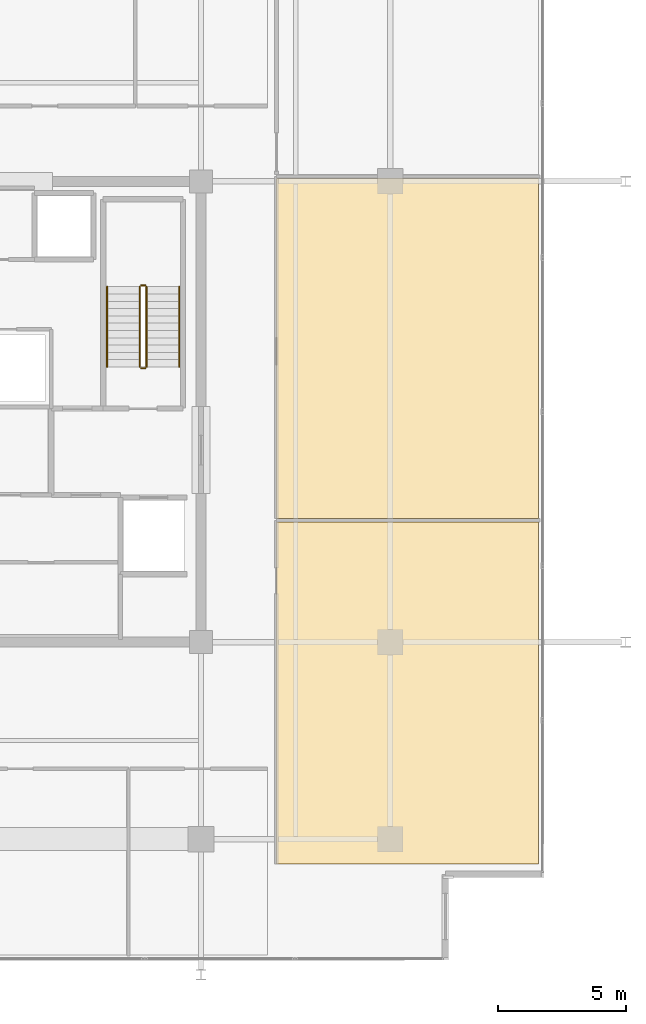
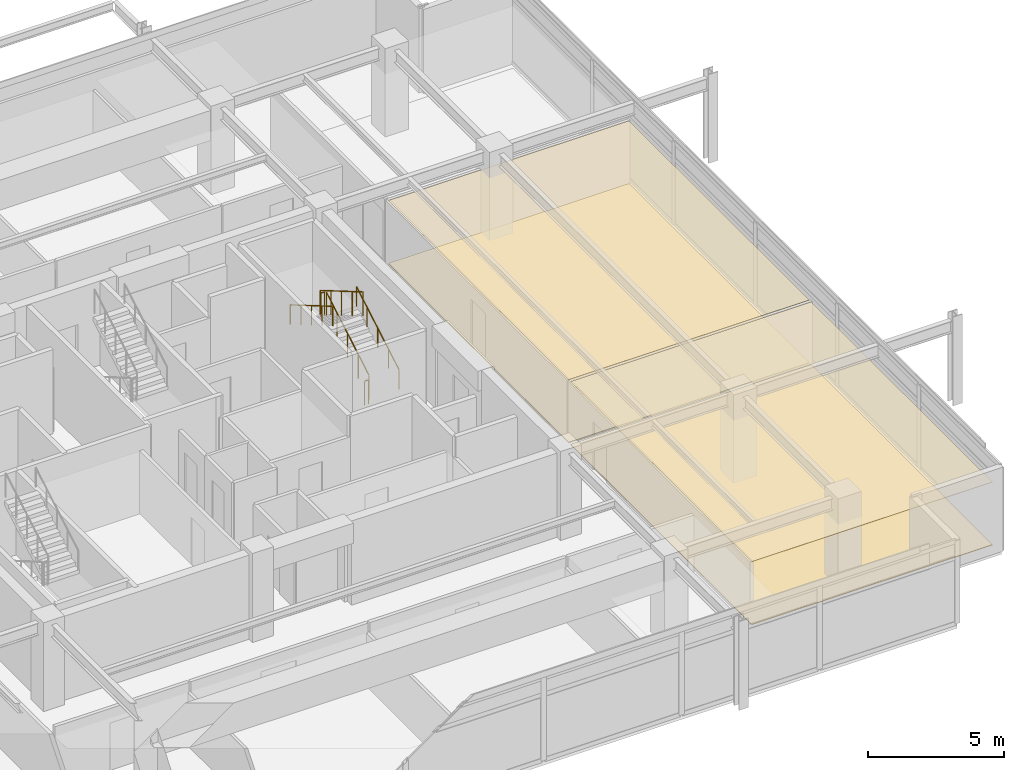
# One storey, part 19 of 20: 6 railings, 4 coverings.
"""IFC4 building model written with IfcOpenShell, lengths in metres."""

from ifc_helpers import new_model, si_unit, direction, frame, origin, origin_2d, place, context, subcontext, project, spatial, polyline, circle, outline, extrude, material, layer, layer_set, type_object, element, save


model = new_model("IFC4")

# Units and contexts
model_context = context("Model", 3, precision=1e-05, world=origin(), true_north=direction((0.0, 1.0)))
body_context = subcontext(model_context, "Body", "Model", "MODEL_VIEW")
ifc_project = project(units=[si_unit("LENGTHUNIT", "METRE"), si_unit("AREAUNIT", "SQUARE_METRE"), si_unit("VOLUMEUNIT", "CUBIC_METRE"), si_unit("PLANEANGLEUNIT", "RADIAN"), si_unit("MASSUNIT", "GRAM", prefix="KILO")], contexts=[model_context])

# Site, building, storey
site_placement = place(None, origin())
site = spatial("IfcSite", under=ifc_project, at=site_placement, CompositionType="ELEMENT")
building_placement = place(site_placement, origin())
building = spatial("IfcBuilding", under=site, at=building_placement, Name="Kovane Verandah Tower", CompositionType="ELEMENT")
storey_placement = place(building_placement, frame((0.0, 0.0, 334.800048828125)))
storey = spatial("IfcBuildingStorey", under=building, at=storey_placement, Name="L78", CompositionType="ELEMENT", Elevation=334.800048828125)

# Coverings
ifc_material_1 = material(Name="Perforated Acoustic Mineral-Fibre Ceiling Tile", Category="gypsum")
ifc_layer_1 = layer(ifc_material_1, 0.02490234375)
ifc_layer_set_1 = layer_set([ifc_layer_1], Name="Perforated Acoustic Mineral-Fibre Ceiling Tile")
covering_type_1 = type_object("IfcCoveringType", Name="CV-CEIL-25", PredefinedType="CEILING", material=ifc_layer_set_1)
covering_1_placement = place(storey_placement, frame((0.0, 0.0, 2.824951171875)))
element("IfcCovering", 1, at=covering_1_placement, inside=storey, type_object=covering_type_1, Name="L78 Open Plan Office E1 Acoustic Ceiling", PredefinedType="CEILING", context=body_context, shape_type="SweptSolid", body=[
    extrude(outline(polyline([(53.949951171875, 9.827880859375), (64.1943359375, 9.827880859375), (64.1943359375, 23.188720703125), (53.949951171875, 23.188720703125), (53.949951171875, 9.827880859375)])), origin(), (0.0, 0.0, 1.0), 0.02490234375),
])
covering_2_placement = place(storey_placement, frame((0.0, 0.0, 2.824951171875)))
element("IfcCovering", 2, at=covering_2_placement, inside=storey, type_object=covering_type_1, Name="L78 Executive Office E2 Acoustic Ceiling", PredefinedType="CEILING", context=body_context, shape_type="SweptSolid", body=[
    extrude(outline(polyline([(53.949951171875, 23.32861328125), (64.1943359375, 23.32861328125), (64.1943359375, 36.619384765625), (53.949951171875, 36.619384765625), (53.949951171875, 23.32861328125)])), origin(), (0.0, 0.0, 1.0), 0.02490234375),
])
ifc_material_2 = material(Name="Polished Terrazzo and Raised-Access Carpet Tile Finish", Category="concrete")
ifc_layer_2 = layer(ifc_material_2, 0.030029296875)
ifc_layer_set_2 = layer_set([ifc_layer_2], Name="Polished Terrazzo and Raised-Access Carpet Tile Finish")
covering_type_2 = type_object("IfcCoveringType", Name="CV-FLOR-30", PredefinedType="FLOORING", material=ifc_layer_set_2)
covering_3_placement = place(storey_placement, origin())
element("IfcCovering", 3, at=covering_3_placement, inside=storey, type_object=covering_type_2, Name="L78 Open Plan Office E1 Floor Finish", PredefinedType="FLOORING", context=body_context, shape_type="SweptSolid", body=[
    extrude(outline(polyline([(53.949951171875, 9.827880859375), (64.1943359375, 9.827880859375), (64.1943359375, 23.188720703125), (53.949951171875, 23.188720703125), (53.949951171875, 9.827880859375)])), origin(), (0.0, 0.0, 1.0), 0.030029296875),
])
covering_4_placement = place(storey_placement, origin())
element("IfcCovering", 4, at=covering_4_placement, inside=storey, type_object=covering_type_2, Name="L78 Executive Office E2 Floor Finish", PredefinedType="FLOORING", context=body_context, shape_type="SweptSolid", body=[
    extrude(outline(polyline([(53.949951171875, 23.32861328125), (64.1943359375, 23.32861328125), (64.1943359375, 36.619384765625), (53.949951171875, 36.619384765625), (53.949951171875, 23.32861328125)])), origin(), (0.0, 0.0, 1.0), 0.030029296875),
])

# Railings
ifc_material_3 = material(Name="Brushed Stainless Steel Handrail", Category="steel")
railing_type_1 = type_object("IfcRailingType", Name="RL-HAND-920", PredefinedType="HANDRAIL", material=ifc_material_3)
railing_1_placement = place(storey_placement, frame((50.14990234375, 29.25, 0.16650390625)))
element("IfcRailing", 5, at=railing_1_placement, inside=storey, type_object=railing_type_1, Name="L78 ST-02 stair handrail 1", PredefinedType="HANDRAIL", context=body_context, shape_type="SweptSolid", body=[
    extrude(circle(Radius=0.02392578125, at=origin_2d()), frame((0.0, 0.0, 0.8759765625), z_axis=(0.0, 0.863210265497, 0.504844567704), x_axis=(-1.0, 0.0, 0.0)), (0.0, 0.0, 1.0), 3.6318359375),
    extrude(circle(Radius=0.02099609375, at=origin_2d()), origin(), (0.0, 0.0, 1.0), 0.851806640625),
    extrude(circle(Radius=0.02099609375, at=origin_2d()), frame((0.0, 0.78369140625, 0.45849609375)), (0.0, 0.0, 1.0), 0.851806640625),
    extrude(circle(Radius=0.02099609375, at=origin_2d()), frame((0.0, 1.5673828125, 0.916748046875)), (0.0, 0.0, 1.0), 0.851806640625),
    extrude(circle(Radius=0.02099609375, at=origin_2d()), frame((0.0, 2.351318359375, 1.375)), (0.0, 0.0, 1.0), 0.851806640625),
    extrude(circle(Radius=0.02099609375, at=origin_2d()), frame((0.0, 3.135009765625, 1.83349609375)), (0.0, 0.0, 1.0), 0.851806640625),
])
railing_2_placement = place(storey_placement, frame((47.330078125, 32.385009765625, 2.16650390625)))
element("IfcRailing", 6, at=railing_2_placement, inside=storey, type_object=railing_type_1, Name="L78 ST-02 stair handrail 2", PredefinedType="HANDRAIL", context=body_context, shape_type="SweptSolid", body=[
    extrude(circle(Radius=0.02392578125, at=origin_2d()), frame((0.0, 0.0, 0.8759765625), z_axis=(0.0, -0.863210265497, 0.504844567704), x_axis=(1.0, 0.0, 0.0)), (0.0, 0.0, 1.0), 3.6318359375),
    extrude(circle(Radius=0.02099609375, at=origin_2d()), origin(), (0.0, 0.0, 1.0), 0.851806640625),
    extrude(circle(Radius=0.02099609375, at=origin_2d()), frame((0.0, -0.78369140625, 0.45849609375)), (0.0, 0.0, 1.0), 0.851806640625),
    extrude(circle(Radius=0.02099609375, at=origin_2d()), frame((0.0, -1.5673828125, 0.916748046875)), (0.0, 0.0, 1.0), 0.851806640625),
    extrude(circle(Radius=0.02099609375, at=origin_2d()), frame((0.0, -2.351318359375, 1.375)), (0.0, 0.0, 1.0), 0.851806640625),
    extrude(circle(Radius=0.02099609375, at=origin_2d()), frame((0.0, -3.135009765625, 1.83349609375)), (0.0, 0.0, 1.0), 0.851806640625),
])
ifc_material_4 = material(Name="Painted Steel Stairwell Guardrail", Category="steel")
railing_type_2 = type_object("IfcRailingType", Name="RL-STGUARD-1120", PredefinedType="GUARDRAIL", material=ifc_material_4)
railing_3_placement = place(storey_placement, frame((48.8701171875, 29.25, 0.16650390625)))
element("IfcRailing", 7, at=railing_3_placement, inside=storey, type_object=railing_type_2, Name="L78 ST-02 stair guard 1", PredefinedType="GUARDRAIL", context=body_context, shape_type="SweptSolid", body=[
    extrude(circle(Radius=0.02392578125, at=origin_2d()), frame((0.0, 0.0, 1.076171875), z_axis=(0.0, 0.863210265497, 0.504844567704), x_axis=(-1.0, 0.0, 0.0)), (0.0, 0.0, 1.0), 3.6318359375),
    extrude(circle(Radius=0.02099609375, at=origin_2d()), origin(), (0.0, 0.0, 1.0), 1.052001953125),
    extrude(circle(Radius=0.02099609375, at=origin_2d()), frame((0.0, 0.78369140625, 0.45849609375)), (0.0, 0.0, 1.0), 1.052001953125),
    extrude(circle(Radius=0.02099609375, at=origin_2d()), frame((0.0, 1.5673828125, 0.916748046875)), (0.0, 0.0, 1.0), 1.052001953125),
    extrude(circle(Radius=0.02099609375, at=origin_2d()), frame((0.0, 2.351318359375, 1.375)), (0.0, 0.0, 1.0), 1.052001953125),
    extrude(circle(Radius=0.02099609375, at=origin_2d()), frame((0.0, 3.135009765625, 1.83349609375)), (0.0, 0.0, 1.0), 1.052001953125),
])
railing_4_placement = place(storey_placement, frame((48.820068359375, 32.43505859375, 2.0)))
element("IfcRailing", 8, at=railing_4_placement, inside=storey, type_object=railing_type_2, Name="L78 ST-02 stair guard 2", PredefinedType="GUARDRAIL", context=body_context, shape_type="SweptSolid", body=[
    extrude(circle(Radius=0.02392578125, at=origin_2d()), frame((0.0, 0.0, 1.076171875), z_axis=(-1.0, 0.0, 0.0), x_axis=(0.0, -1.0, 0.0)), (0.0, 0.0, 1.0), 0.16015625),
    extrude(circle(Radius=0.02099609375, at=origin_2d()), origin(), (0.0, 0.0, 1.0), 1.052001953125),
    extrude(circle(Radius=0.02099609375, at=origin_2d()), frame((-0.16015625, 0.0, 0.0)), (0.0, 0.0, 1.0), 1.052001953125),
])
railing_5_placement = place(storey_placement, frame((48.610107421875, 32.385009765625, 2.16650390625)))
element("IfcRailing", 9, at=railing_5_placement, inside=storey, type_object=railing_type_2, Name="L78 ST-02 stair guard 3", PredefinedType="GUARDRAIL", context=body_context, shape_type="SweptSolid", body=[
    extrude(circle(Radius=0.02392578125, at=origin_2d()), frame((0.0, 0.0, 1.076171875), z_axis=(0.0, -0.863210265497, 0.504844567704), x_axis=(1.0, 0.0, 0.0)), (0.0, 0.0, 1.0), 3.6318359375),
    extrude(circle(Radius=0.02099609375, at=origin_2d()), origin(), (0.0, 0.0, 1.0), 1.052001953125),
    extrude(circle(Radius=0.02099609375, at=origin_2d()), frame((0.0, -0.78369140625, 0.45849609375)), (0.0, 0.0, 1.0), 1.052001953125),
    extrude(circle(Radius=0.02099609375, at=origin_2d()), frame((0.0, -1.5673828125, 0.916748046875)), (0.0, 0.0, 1.0), 1.052001953125),
    extrude(circle(Radius=0.02099609375, at=origin_2d()), frame((0.0, -2.351318359375, 1.375)), (0.0, 0.0, 1.0), 1.052001953125),
    extrude(circle(Radius=0.02099609375, at=origin_2d()), frame((0.0, -3.135009765625, 1.83349609375)), (0.0, 0.0, 1.0), 1.052001953125),
])
railing_6_placement = place(storey_placement, frame((48.820068359375, 29.199951171875, 0.0)))
element("IfcRailing", 10, at=railing_6_placement, inside=storey, type_object=railing_type_2, Name="L78 ST-02 stair guard 4", PredefinedType="GUARDRAIL", context=body_context, shape_type="SweptSolid", body=[
    extrude(circle(Radius=0.02392578125, at=origin_2d()), frame((0.0, 0.0, 1.076171875), z_axis=(-1.0, 0.0, 0.0), x_axis=(0.0, -1.0, 0.0)), (0.0, 0.0, 1.0), 0.16015625),
    extrude(circle(Radius=0.02099609375, at=origin_2d()), origin(), (0.0, 0.0, 1.0), 1.052001953125),
    extrude(circle(Radius=0.02099609375, at=origin_2d()), frame((-0.16015625, 0.0, 0.0)), (0.0, 0.0, 1.0), 1.052001953125),
])

save(model, "model.ifc")
